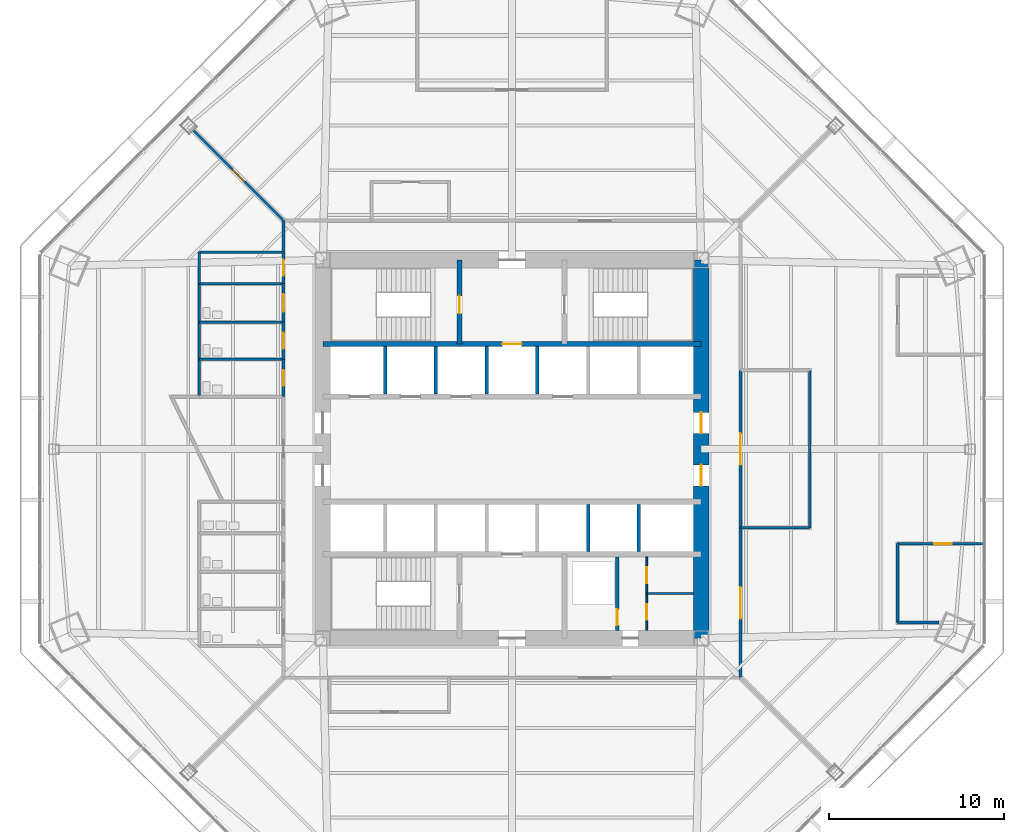
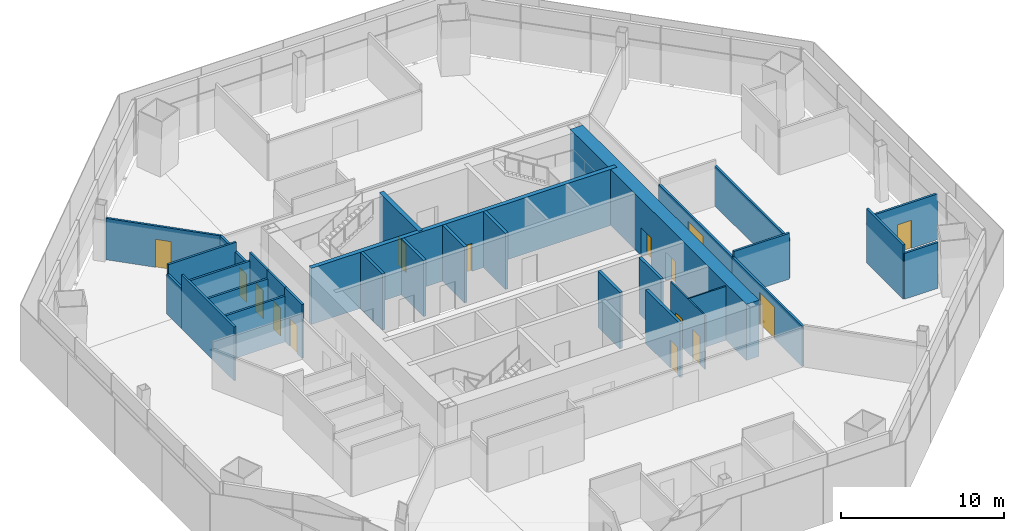
# One storey, part 10 of 15: 31 walls, 15 doors, 15 openings.
"""IFC4 building model written with IfcOpenShell, lengths in metres."""

import ifcopenshell
import ifcopenshell.guid

model = None  # the IFC model being written
_history = None  # IfcOwnerHistory: only IFC2X3 demands one
_inside = {}  # id of a spatial element -> (the spatial element, [elements in it])
_under = {}  # id of a project, library or spatial element -> (it, [spatial elements below it])
_declared = {}  # id of a project -> (the project, [libraries it declares])
_typed = {}  # id of a type object -> (the type object, [elements of that type])
_made_of = {}  # id of a material, layer set ... -> (it, [elements and type objects made of it])


def new_model(schema):
    """Start an empty IFC model of exactly this schema.

    Asked for "IFC4X3", IfcOpenShell would pick the latest addendum, in which some entities
    have other attributes; the version numbers below select the first issue.
    IFC2X3 requires an IfcOwnerHistory on every rooted entity: one is made here for all.
    """
    global model, _history
    if schema == "IFC4X3":
        model = ifcopenshell.file(schema_version=(4, 3, 0, 0))
    else:
        model = ifcopenshell.file(schema=schema)
    _inside.clear()
    _under.clear()
    _declared.clear()
    _typed.clear()
    _made_of.clear()
    _history = None
    if model.schema == "IFC2X3":
        org = make("IfcOrganization", Name="unknown")
        user = make(
            "IfcPersonAndOrganization",
            ThePerson=make("IfcPerson", FamilyName="unknown"),
            TheOrganization=org,
        )
        app = make(
            "IfcApplication",
            ApplicationDeveloper=org,
            Version="unknown",
            ApplicationFullName="unknown",
            ApplicationIdentifier="unknown",
        )
        _history = make(
            "IfcOwnerHistory",
            OwningUser=user,
            OwningApplication=app,
            ChangeAction="ADDED",
            CreationDate=0,
        )
    return model


def make(cls, **values):
    """One entity of the class cls with the attributes given. An attribute that is None is left unset."""
    return model.create_entity(
        cls, **{name: value for name, value in values.items() if value is not None}
    )


def rooted(cls, **values):
    """An entity with a GlobalId (a new one), such as an element, a storey or a relation."""
    return make(cls, GlobalId=ifcopenshell.guid.new(), OwnerHistory=_history, **values)


def si_unit(unit_type, name, prefix=None):
    """IfcSIUnit, for example si_unit("LENGTHUNIT", "METRE", prefix="MILLI")."""
    return make("IfcSIUnit", UnitType=unit_type, Prefix=prefix, Name=name)


def assignment(units):
    """IfcUnitAssignment: the units of a project."""
    return None if units is None else make("IfcUnitAssignment", Units=units)


def point(xyz):
    """IfcCartesianPoint."""
    return None if xyz is None else make("IfcCartesianPoint", Coordinates=xyz)


def direction(xyz):
    """IfcDirection."""
    return None if xyz is None else make("IfcDirection", DirectionRatios=xyz)


def frame(location, z_axis=None, x_axis=None):
    """IfcAxis2Placement3D, a coordinate frame: its origin and axes. An axis left out is left unset."""
    return make(
        "IfcAxis2Placement3D",
        Location=point(location),
        Axis=direction(z_axis),
        RefDirection=direction(x_axis),
    )


def frame_2d(location, x_axis=None):
    """IfcAxis2Placement2D, a coordinate frame in the plane: its origin and x axis."""
    return make(
        "IfcAxis2Placement2D", Location=point(location), RefDirection=direction(x_axis)
    )


def origin():
    """The frame at (0, 0, 0) with its axes left unset."""
    return frame((0.0, 0.0, 0.0))


def place(relative_to, where):
    """IfcLocalPlacement: puts the frame where relative to a parent placement (None: the world)."""
    return make(
        "IfcLocalPlacement", PlacementRelTo=relative_to, RelativePlacement=where
    )


def context(
    kind, dimensions, precision=None, world=None, true_north=None, identifier=None
):
    """IfcGeometricRepresentationContext, for example the 3D "Model" context."""
    return make(
        "IfcGeometricRepresentationContext",
        ContextIdentifier=identifier,
        ContextType=kind,
        CoordinateSpaceDimension=dimensions,
        Precision=precision,
        WorldCoordinateSystem=world,
        TrueNorth=true_north,
    )


def subcontext(parent, identifier, kind, view, scale=None):
    """IfcGeometricRepresentationSubContext, for example "Body" below "Model"."""
    return make(
        "IfcGeometricRepresentationSubContext",
        ContextIdentifier=identifier,
        ContextType=kind,
        ParentContext=parent,
        TargetScale=scale,
        TargetView=view,
    )


def project(units=None, contexts=None):
    """IfcProject with its units and contexts."""
    return rooted(
        "IfcProject",
        Name="project",
        RepresentationContexts=contexts,
        UnitsInContext=assignment(units),
    )


def spatial(cls, under=None, at=None, **own):
    """A site, building, storey or space (cls), placed at a placement, below another one or the project."""
    s = rooted(cls, ObjectPlacement=at, **own)
    if under is not None:
        _under.setdefault(under.id(), (under, []))[1].append(s)
    return s


def profile(cls, at=None, kind="AREA", **sizes):
    """A parametric profile (cls). Its sizes go by their IFC names, for example OverallWidth=200.0."""
    return make(cls, ProfileType=kind, Position=at, **sizes)


def rectangle(**sizes):
    """IfcRectangleProfileDef."""
    return profile("IfcRectangleProfileDef", **sizes)


def extrude(swept, where, along, depth):
    """IfcExtrudedAreaSolid: the profile swept, set in the frame where, extruded along a direction by depth."""
    return make(
        "IfcExtrudedAreaSolid",
        SweptArea=swept,
        Position=where,
        ExtrudedDirection=direction(along),
        Depth=depth,
    )


def shape(context_of_items, identifier, shape_type, items):
    """IfcShapeRepresentation: the items that make up one representation, for example the "Body"."""
    return make(
        "IfcShapeRepresentation",
        ContextOfItems=context_of_items,
        RepresentationIdentifier=identifier,
        RepresentationType=shape_type,
        Items=items,
    )


def material(Name=None, Category=None):
    """IfcMaterial."""
    return make("IfcMaterial", Name=Name, Category=Category)


def layer(
    of_material, thickness, ventilated=None, Name=None, Category=None, Priority=None
):
    """IfcMaterialLayer: one layer of a wall or slab, of a material (None: an air gap)."""
    return make(
        "IfcMaterialLayer",
        Material=of_material,
        LayerThickness=thickness,
        IsVentilated=ventilated,
        Name=Name,
        Category=Category,
        Priority=Priority,
    )


def layer_set(layers, Name=None):
    """IfcMaterialLayerSet."""
    return make("IfcMaterialLayerSet", MaterialLayers=layers, LayerSetName=Name)


def made_of(thing, what):
    """Note that an element or type object is made of a material, layer set ...; save() writes the relation."""
    if what is not None:
        _made_of.setdefault(what.id(), (what, []))[1].append(thing)
    return thing


def type_object(cls, material=None, **own):
    """A type object (cls), such as IfcWallType, which elements share."""
    return made_of(rooted(cls, **own), material)


def element(
    cls,
    number,
    at=None,
    inside=None,
    cuts=None,
    type_object=None,
    material=None,
    context=None,
    identifier="Body",
    shape_type=None,
    held_by="IfcProductDefinitionShape",
    body=None,
    shapes=None,
    **own,
):
    """One element of the class cls, such as IfcWall. Its Tag is "e" and its number.

    at: its placement. inside: the storey or other place that contains it. cuts: it is an
    opening in that element (IfcRelVoidsElement). A single representation is given by context,
    identifier, shape_type and body (its items); several are given by shapes. held_by: the class
    of the entity that holds the representations. save() writes the other relations.
    """
    e = rooted(cls, Tag="e%d" % number, ObjectPlacement=at, **own)
    if body is not None:
        shapes = [shape(context, identifier, shape_type, body)]
    if shapes is not None:
        e.Representation = make(held_by, Representations=shapes)
    if inside is not None:
        _inside.setdefault(inside.id(), (inside, []))[1].append(e)
    if cuts is not None:
        rooted(
            "IfcRelVoidsElement", RelatingBuildingElement=cuts, RelatedOpeningElement=e
        )
    if type_object is not None:
        _typed.setdefault(type_object.id(), (type_object, []))[1].append(e)
    return made_of(e, material)


def fill(opening, filler):
    """IfcRelFillsElement: the door or window that sits in an opening."""
    return rooted(
        "IfcRelFillsElement",
        RelatingOpeningElement=opening,
        RelatedBuildingElement=filler,
    )


def aggregate(whole, parts):
    """IfcRelAggregates: a whole, such as a stair, and the parts it consists of."""
    return rooted("IfcRelAggregates", RelatingObject=whole, RelatedObjects=parts)


def save(model, path):
    """Write the relations noted so far, then the file.

    IfcRelAggregates (storeys below a building ...), IfcRelContainedInSpatialStructure (elements
    in a storey), IfcRelDefinesByType, IfcRelAssociatesMaterial and IfcRelDeclares: one each for
    every whole, place, type object, material and project.
    """
    for whole, parts in _under.values():
        aggregate(whole, parts)
    for where, things in _inside.values():
        rooted(
            "IfcRelContainedInSpatialStructure",
            RelatedElements=things,
            RelatingStructure=where,
        )
    for kind, things in _typed.values():
        rooted("IfcRelDefinesByType", RelatedObjects=things, RelatingType=kind)
    for what, things in _made_of.values():
        rooted("IfcRelAssociatesMaterial", RelatedObjects=things, RelatingMaterial=what)
    for by, libraries in _declared.values():
        rooted("IfcRelDeclares", RelatingContext=by, RelatedDefinitions=libraries)
    model.write(path)


model = new_model("IFC4")

# Units and contexts
model_context = context("Model", 3, precision=1e-05, world=origin(), true_north=direction((0.0, 1.0)))
body_context = subcontext(model_context, "Body", "Model", "MODEL_VIEW")
ifc_project = project(units=[si_unit("LENGTHUNIT", "METRE"), si_unit("AREAUNIT", "SQUARE_METRE"), si_unit("VOLUMEUNIT", "CUBIC_METRE"), si_unit("PLANEANGLEUNIT", "RADIAN"), si_unit("MASSUNIT", "GRAM", prefix="KILO")], contexts=[model_context])

# Site, building, storey
site_placement = place(None, origin())
site = spatial("IfcSite", under=ifc_project, at=site_placement, CompositionType="ELEMENT")
building_placement = place(site_placement, origin())
building = spatial("IfcBuilding", under=site, at=building_placement, Name="Mashrafa Tower", CompositionType="ELEMENT")
storey_placement = place(building_placement, frame((0.0, 0.0, 37.199951171875)))
storey = spatial("IfcBuildingStorey", under=building, at=storey_placement, Name="L07", CompositionType="ELEMENT", Elevation=37.199951171875)

# Wall, opening, door
ifc_material_1 = material(Name="Concrete masonry unit", Category="masonry")
ifc_layer_1 = layer(ifc_material_1, 0.199951171875)
ifc_layer_set_1 = layer_set([ifc_layer_1], Name="Blockwork wall 200 2 hr")
wall_type_1 = type_object("IfcWallType", Name="Blockwork wall 200 2 hr", PredefinedType="PARTITIONING", material=ifc_layer_set_1)
wall_1_placement = place(storey_placement, frame((6.0, -10.35009765625, 0.0), z_axis=(0.0, 0.0, 1.0), x_axis=(0.0, 1.0, 0.0)))
wall_1 = element("IfcWall", 1, at=wall_1_placement, inside=storey, type_object=wall_type_1, Name="Riser enclosure wall L07", PredefinedType="PARTITIONING", context=body_context, shape_type="SweptSolid", body=[
    extrude(rectangle(XDim=4.2001953125, YDim=0.199951171875, at=frame_2d((2.10009765625, 0.0))), origin(), (0.0, 0.0, 1.0), 4.03515625),
])
opening_1_placement = place(wall_1_placement, frame((0.300048828125, 0.0, 0.0)))
opening_1 = element("IfcOpeningElement", 2, at=opening_1_placement, cuts=wall_1, Name="Opening 07.034", PredefinedType="OPENING", context=body_context, shape_type="SweptSolid", body=[
    extrude(rectangle(XDim=0.89990234375, YDim=2.10009765625, at=frame_2d((0.449951171875, 1.050048828125))), frame((0.0, 0.10986328125, 0.0), z_axis=(0.0, -1.0, 0.0), x_axis=(1.0, 0.0, 0.0)), (0.0, 0.0, 1.0), 0.219970703125),
])
ifc_material_2 = material(Name="Steel door", Category="steel")
door_type_1 = type_object("IfcDoorType", Name="Service door 900 x 2100 90 min", OperationType="USERDEFINED", PredefinedType="DOOR", material=ifc_material_2)
door_1_placement = place(opening_1_placement, origin())
door_1 = element("IfcDoor", 3, at=door_1_placement, inside=storey, type_object=door_type_1, Name="Riser door L07", OperationType="SINGLE_SWING_LEFT", OverallHeight=2.10009765625, OverallWidth=0.89990234375, PredefinedType="DOOR", context=body_context, shape_type="SweptSolid", body=[
    extrude(rectangle(XDim=0.89990234375, YDim=2.10009765625, at=frame_2d((0.449951171875, 1.050048828125))), frame((0.0, 0.02490234375, 0.0), z_axis=(0.0, -1.0, 0.0), x_axis=(1.0, 0.0, 0.0)), (0.0, 0.0, 1.0), 0.050048828125),
])
fill(opening_1, door_1)

ifc_material_3 = material(Name="Concrete C60/75", Category="concrete")
ifc_layer_2 = layer(ifc_material_3, 0.300048828125)
ifc_layer_set_2 = layer_set([ifc_layer_2], Name="Core wall 300 C60/75")
wall_type_2 = type_object("IfcWallType", Name="Core wall 300 C60/75", PredefinedType="SOLIDWALL", material=ifc_layer_set_2)
wall_2_placement = place(storey_placement, frame((-10.800048828125, 6.0, 0.0), z_axis=(0.0, 0.0, 1.0), x_axis=(1.0, 0.0, 0.0)))
wall_2 = element("IfcWall", 4, at=wall_2_placement, inside=storey, type_object=wall_type_2, Name="Core wall CB-N L07", PredefinedType="SOLIDWALL", context=body_context, shape_type="SweptSolid", body=[
    extrude(rectangle(XDim=21.60009765625, YDim=0.300048828125, at=frame_2d((10.800048828125, 0.0))), origin(), (0.0, 0.0, 1.0), 4.199951171875),
])
opening_2_placement = place(wall_2_placement, frame((10.25, 0.0, 0.0)))
opening_2 = element("IfcOpeningElement", 5, at=opening_2_placement, cuts=wall_2, Name="Opening 07.F1", PredefinedType="OPENING", context=body_context, shape_type="SweptSolid", body=[
    extrude(rectangle(XDim=1.10009765625, YDim=2.10009765625, at=frame_2d((0.550048828125, 1.050048828125))), frame((0.0, 0.159912109375, 0.0), z_axis=(0.0, -1.0, 0.0), x_axis=(1.0, 0.0, 0.0)), (0.0, 0.0, 1.0), 0.320068359375),
])
ifc_material_4 = material(Name="Steel door", Category="steel")
door_type_2 = type_object("IfcDoorType", Name="Lift landing door 1100 x 2100 90 min", OperationType="DOUBLE_DOOR_SLIDING", PredefinedType="DOOR", material=ifc_material_4)
door_2_placement = place(opening_2_placement, origin())
door_2 = element("IfcDoor", 6, at=door_2_placement, inside=storey, type_object=door_type_2, Name="Lift landing door F1 L07", OperationType="DOUBLE_DOOR_SLIDING", OverallHeight=2.10009765625, OverallWidth=1.10009765625, PredefinedType="DOOR", context=body_context, shape_type="SweptSolid", body=[
    extrude(rectangle(XDim=1.10009765625, YDim=2.10009765625, at=frame_2d((0.550048828125, 1.050048828125))), frame((0.0, 0.02490234375, 0.0), z_axis=(0.0, -1.0, 0.0), x_axis=(1.0, 0.0, 0.0)), (0.0, 0.0, 1.0), 0.050048828125),
])
fill(opening_2, door_2)

wall_3_placement = place(storey_placement, frame((-3.0, 6.0, 0.0), z_axis=(0.0, 0.0, 1.0), x_axis=(0.0, 1.0, 0.0)))
wall_3 = element("IfcWall", 7, at=wall_3_placement, inside=storey, type_object=wall_type_2, Name="Core wall CX-NW L07", PredefinedType="SOLIDWALL", context=body_context, shape_type="SweptSolid", body=[
    extrude(rectangle(XDim=4.800048828125, YDim=0.300048828125, at=frame_2d((2.39990234375, 0.0))), origin(), (0.0, 0.0, 1.0), 4.199951171875),
])
opening_3_placement = place(wall_3_placement, frame((1.75, 0.0, 0.0)))
opening_3 = element("IfcOpeningElement", 8, at=opening_3_placement, cuts=wall_3, Name="Opening 07.030", PredefinedType="OPENING", context=body_context, shape_type="SweptSolid", body=[
    extrude(rectangle(XDim=1.0, YDim=2.10009765625, at=frame_2d((0.5, 1.050048828125))), frame((0.0, 0.159912109375, 0.0), z_axis=(0.0, -1.0, 0.0), x_axis=(1.0, 0.0, 0.0)), (0.0, 0.0, 1.0), 0.320068359375),
])
ifc_material_5 = material(Name="Steel door", Category="steel")
door_type_3 = type_object("IfcDoorType", Name="Stair door 1000 x 2100 90 min", OperationType="USERDEFINED", PredefinedType="DOOR", material=ifc_material_5)
door_3_placement = place(opening_3_placement, origin())
door_3 = element("IfcDoor", 9, at=door_3_placement, inside=storey, type_object=door_type_3, Name="Stair S1 door L07", OperationType="SINGLE_SWING_LEFT", OverallHeight=2.10009765625, OverallWidth=1.0, PredefinedType="DOOR", context=body_context, shape_type="SweptSolid", body=[
    extrude(rectangle(XDim=1.0, YDim=2.10009765625, at=frame_2d((0.5, 1.050048828125))), frame((0.0, 0.02490234375, 0.0), z_axis=(0.0, -1.0, 0.0), x_axis=(1.0, 0.0, 0.0)), (0.0, 0.0, 1.0), 0.050048828125),
])
fill(opening_3, door_3)

# Wall, openings, doors
ifc_material_6 = material(Name="Concrete C60/75", Category="concrete")
ifc_layer_3 = layer(ifc_material_6, 0.89990234375)
ifc_layer_set_3 = layer_set([ifc_layer_3], Name="Core wall 900 C60/75")
wall_type_3 = type_object("IfcWallType", Name="Core wall 900 C60/75", PredefinedType="SOLIDWALL", material=ifc_layer_set_3)
wall_4_placement = place(storey_placement, frame((10.800048828125, -10.800048828125, 0.0), z_axis=(0.0, 0.0, 1.0), x_axis=(0.0, 1.0, 0.0)))
wall_4 = element("IfcWall", 10, at=wall_4_placement, inside=storey, type_object=wall_type_3, Name="Core wall CW-E L07", PredefinedType="SOLIDWALL", context=body_context, shape_type="SweptSolid", body=[
    extrude(rectangle(XDim=21.60009765625, YDim=0.89990234375, at=frame_2d((10.800048828125, 0.0))), origin(), (0.0, 0.0, 1.0), 4.199951171875),
])
opening_4_placement = place(wall_4_placement, frame((11.699951171875, 0.0, 0.0)))
opening_4 = element("IfcOpeningElement", 11, at=opening_4_placement, cuts=wall_4, Name="Opening 07.024", PredefinedType="OPENING", context=body_context, shape_type="SweptSolid", body=[
    extrude(rectangle(XDim=1.199951171875, YDim=2.10009765625, at=frame_2d((0.60009765625, 1.050048828125))), frame((0.0, 0.4599609375, 0.0), z_axis=(0.0, -1.0, 0.0), x_axis=(1.0, 0.0, 0.0)), (0.0, 0.0, 1.0), 0.919921875),
])
opening_5_placement = place(wall_4_placement, frame((8.699951171875, 0.0, 0.0)))
opening_5 = element("IfcOpeningElement", 12, at=opening_5_placement, cuts=wall_4, Name="Opening 07.026", PredefinedType="OPENING", context=body_context, shape_type="SweptSolid", body=[
    extrude(rectangle(XDim=1.199951171875, YDim=2.10009765625, at=frame_2d((0.60009765625, 1.050048828125))), frame((0.0, 0.4599609375, 0.0), z_axis=(0.0, -1.0, 0.0), x_axis=(1.0, 0.0, 0.0)), (0.0, 0.0, 1.0), 0.919921875),
])
ifc_material_7 = material(Name="Steel door", Category="steel")
door_type_4 = type_object("IfcDoorType", Name="Lift hall door 1200 x 2100 90 min", OperationType="USERDEFINED", PredefinedType="DOOR", material=ifc_material_7)
door_4_placement = place(opening_4_placement, frame((1.199951171875, 0.0, 0.0), z_axis=(0.0, 0.0, 1.0), x_axis=(-1.0, 0.0, 0.0)))
door_4 = element("IfcDoor", 13, at=door_4_placement, inside=storey, type_object=door_type_4, Name="Lift hall door east L07", OperationType="SINGLE_SWING_LEFT", OverallHeight=2.10009765625, OverallWidth=1.199951171875, PredefinedType="DOOR", context=body_context, shape_type="SweptSolid", body=[
    extrude(rectangle(XDim=1.199951171875, YDim=2.10009765625, at=frame_2d((0.60009765625, 1.050048828125))), frame((0.0, 0.02490234375, 0.0), z_axis=(0.0, -1.0, 0.0), x_axis=(1.0, 0.0, 0.0)), (0.0, 0.0, 1.0), 0.050048828125),
])
fill(opening_4, door_4)
door_5_placement = place(opening_5_placement, frame((1.199951171875, 0.0, 0.0), z_axis=(0.0, 0.0, 1.0), x_axis=(-1.0, 0.0, 0.0)))
door_5 = element("IfcDoor", 14, at=door_5_placement, inside=storey, type_object=door_type_4, Name="Lift hall door east L07", OperationType="SINGLE_SWING_RIGHT", OverallHeight=2.10009765625, OverallWidth=1.199951171875, PredefinedType="DOOR", context=body_context, shape_type="SweptSolid", body=[
    extrude(rectangle(XDim=1.199951171875, YDim=2.10009765625, at=frame_2d((0.60009765625, 1.050048828125))), frame((0.0, 0.02490234375, 0.0), z_axis=(0.0, -1.0, 0.0), x_axis=(1.0, 0.0, 0.0)), (0.0, 0.0, 1.0), 0.050048828125),
])
fill(opening_5, door_5)

# Wall, opening, door
ifc_material_8 = material(Name="Gypsum board on steel studs", Category="steel")
ifc_layer_4 = layer(ifc_material_8, 0.14990234375)
ifc_layer_set_4 = layer_set([ifc_layer_4], Name="Corridor partition 150 1 hr")
wall_type_4 = type_object("IfcWallType", Name="Corridor partition 150 1 hr", PredefinedType="PARTITIONING", material=ifc_layer_set_4)
wall_5_placement = place(storey_placement, frame((-13.050048828125, 5.1259765625, 0.0), z_axis=(0.0, 0.0, 1.0), x_axis=(0.0, -1.0, 0.0)))
wall_5 = element("IfcWall", 15, at=wall_5_placement, inside=storey, type_object=wall_type_4, Name="Corridor wall L07-001", PredefinedType="PARTITIONING", context=body_context, shape_type="SweptSolid", body=[
    extrude(rectangle(XDim=2.126953125, YDim=0.14990234375, at=frame_2d((1.0634765625, 0.0))), origin(), (0.0, 0.0, 1.0), 4.03515625),
])
opening_6_placement = place(wall_5_placement, frame((0.613525390625, 0.0, 0.0)))
opening_6 = element("IfcOpeningElement", 16, at=opening_6_placement, cuts=wall_5, Name="Opening 07.001", PredefinedType="OPENING", context=body_context, shape_type="SweptSolid", body=[
    extrude(rectangle(XDim=0.89990234375, YDim=2.10009765625, at=frame_2d((0.449951171875, 1.050048828125))), frame((0.0, 0.0849609375, 0.0), z_axis=(0.0, -1.0, 0.0), x_axis=(1.0, 0.0, 0.0)), (0.0, 0.0, 1.0), 0.169921875),
])
ifc_material_9 = material(Name="Timber door", Category="wood")
door_type_5 = type_object("IfcDoorType", Name="Toilet door 900 x 2100", OperationType="USERDEFINED", PredefinedType="DOOR", material=ifc_material_9)
door_6_placement = place(opening_6_placement, frame((0.89990234375, 0.0, 0.0), z_axis=(0.0, 0.0, 1.0), x_axis=(-1.0, 0.0, 0.0)))
door_6 = element("IfcDoor", 17, at=door_6_placement, inside=storey, type_object=door_type_5, Name="WC Female L07 N door", OperationType="SINGLE_SWING_RIGHT", OverallHeight=2.10009765625, OverallWidth=0.89990234375, PredefinedType="DOOR", context=body_context, shape_type="SweptSolid", body=[
    extrude(rectangle(XDim=0.89990234375, YDim=2.10009765625, at=frame_2d((0.449951171875, 1.050048828125))), frame((0.0, 0.02490234375, 0.0), z_axis=(0.0, -1.0, 0.0), x_axis=(1.0, 0.0, 0.0)), (0.0, 0.0, 1.0), 0.050048828125),
])
fill(opening_6, door_6)

wall_6_placement = place(storey_placement, frame((-13.050048828125, 7.2509765625, 0.0), z_axis=(0.0, 0.0, 1.0), x_axis=(0.0, -1.0, 0.0)))
wall_6 = element("IfcWall", 18, at=wall_6_placement, inside=storey, type_object=wall_type_4, Name="Corridor wall L07-002", PredefinedType="PARTITIONING", context=body_context, shape_type="SweptSolid", body=[
    extrude(rectangle(XDim=2.126953125, YDim=0.14990234375, at=frame_2d((1.0634765625, 0.0))), origin(), (0.0, 0.0, 1.0), 4.03515625),
])
opening_7_placement = place(wall_6_placement, frame((0.613525390625, 0.0, 0.0)))
opening_7 = element("IfcOpeningElement", 19, at=opening_7_placement, cuts=wall_6, Name="Opening 07.002", PredefinedType="OPENING", context=body_context, shape_type="SweptSolid", body=[
    extrude(rectangle(XDim=0.89990234375, YDim=2.10009765625, at=frame_2d((0.449951171875, 1.050048828125))), frame((0.0, 0.0849609375, 0.0), z_axis=(0.0, -1.0, 0.0), x_axis=(1.0, 0.0, 0.0)), (0.0, 0.0, 1.0), 0.169921875),
])
door_7_placement = place(opening_7_placement, frame((0.89990234375, 0.0, 0.0), z_axis=(0.0, 0.0, 1.0), x_axis=(-1.0, 0.0, 0.0)))
door_7 = element("IfcDoor", 20, at=door_7_placement, inside=storey, type_object=door_type_5, Name="WC Male L07 N door", OperationType="SINGLE_SWING_LEFT", OverallHeight=2.10009765625, OverallWidth=0.89990234375, PredefinedType="DOOR", context=body_context, shape_type="SweptSolid", body=[
    extrude(rectangle(XDim=0.89990234375, YDim=2.10009765625, at=frame_2d((0.449951171875, 1.050048828125))), frame((0.0, 0.02490234375, 0.0), z_axis=(0.0, -1.0, 0.0), x_axis=(1.0, 0.0, 0.0)), (0.0, 0.0, 1.0), 0.050048828125),
])
fill(opening_7, door_7)

wall_7_placement = place(storey_placement, frame((-13.050048828125, 9.450927734375, 0.0), z_axis=(0.0, 0.0, 1.0), x_axis=(0.0, -1.0, 0.0)))
wall_7 = element("IfcWall", 21, at=wall_7_placement, inside=storey, type_object=wall_type_4, Name="Corridor wall L07-003", PredefinedType="PARTITIONING", context=body_context, shape_type="SweptSolid", body=[
    extrude(rectangle(XDim=2.201904296875, YDim=0.14990234375, at=frame_2d((1.10107421875, 0.0))), origin(), (0.0, 0.0, 1.0), 4.03515625),
])
opening_8_placement = place(wall_7_placement, frame((0.60107421875, 0.0, 0.0)))
opening_8 = element("IfcOpeningElement", 22, at=opening_8_placement, cuts=wall_7, Name="Opening 07.003", PredefinedType="OPENING", context=body_context, shape_type="SweptSolid", body=[
    extrude(rectangle(XDim=1.0, YDim=2.10009765625, at=frame_2d((0.5, 1.050048828125))), frame((0.0, 0.0849609375, 0.0), z_axis=(0.0, -1.0, 0.0), x_axis=(1.0, 0.0, 0.0)), (0.0, 0.0, 1.0), 0.169921875),
])
ifc_material_10 = material(Name="Timber door", Category="wood")
door_type_6 = type_object("IfcDoorType", Name="Accessible toilet door 1000 x 2100", OperationType="USERDEFINED", PredefinedType="DOOR", material=ifc_material_10)
door_8_placement = place(opening_8_placement, frame((1.0, 0.0, 0.0), z_axis=(0.0, 0.0, 1.0), x_axis=(-1.0, 0.0, 0.0)))
door_8 = element("IfcDoor", 23, at=door_8_placement, inside=storey, type_object=door_type_6, Name="Accessible WC L07 N door", OperationType="SINGLE_SWING_RIGHT", OverallHeight=2.10009765625, OverallWidth=1.0, PredefinedType="DOOR", context=body_context, shape_type="SweptSolid", body=[
    extrude(rectangle(XDim=1.0, YDim=2.10009765625, at=frame_2d((0.5, 1.050048828125))), frame((0.0, 0.02490234375, 0.0), z_axis=(0.0, -1.0, 0.0), x_axis=(1.0, 0.0, 0.0)), (0.0, 0.0, 1.0), 0.050048828125),
])
fill(opening_8, door_8)

wall_8_placement = place(storey_placement, frame((-13.050048828125, 11.2509765625, 0.0), z_axis=(0.0, 0.0, 1.0), x_axis=(0.0, -1.0, 0.0)))
wall_8 = element("IfcWall", 24, at=wall_8_placement, inside=storey, type_object=wall_type_4, Name="Corridor wall L07-004", PredefinedType="PARTITIONING", context=body_context, shape_type="SweptSolid", body=[
    extrude(rectangle(XDim=1.802001953125, YDim=0.14990234375, at=frame_2d((0.90087890625, 0.0))), origin(), (0.0, 0.0, 1.0), 3.01416015625),
])
opening_9_placement = place(wall_8_placement, frame((0.450927734375, 0.0, 0.0)))
opening_9 = element("IfcOpeningElement", 25, at=opening_9_placement, cuts=wall_8, Name="Opening 07.004", PredefinedType="OPENING", context=body_context, shape_type="SweptSolid", body=[
    extrude(rectangle(XDim=0.89990234375, YDim=2.10009765625, at=frame_2d((0.449951171875, 1.050048828125))), frame((0.0, 0.0849609375, 0.0), z_axis=(0.0, -1.0, 0.0), x_axis=(1.0, 0.0, 0.0)), (0.0, 0.0, 1.0), 0.169921875),
])
ifc_material_11 = material(Name="Timber door", Category="wood")
door_type_7 = type_object("IfcDoorType", Name="Store door 900 x 2100", OperationType="USERDEFINED", PredefinedType="DOOR", material=ifc_material_11)
door_9_placement = place(opening_9_placement, frame((0.89990234375, 0.0, 0.0), z_axis=(0.0, 0.0, 1.0), x_axis=(-1.0, 0.0, 0.0)))
door_9 = element("IfcDoor", 26, at=door_9_placement, inside=storey, type_object=door_type_7, Name="Cleaner's Store L07 N door", OperationType="SINGLE_SWING_LEFT", OverallHeight=2.10009765625, OverallWidth=0.89990234375, PredefinedType="DOOR", context=body_context, shape_type="SweptSolid", body=[
    extrude(rectangle(XDim=0.89990234375, YDim=2.10009765625, at=frame_2d((0.449951171875, 1.050048828125))), frame((0.0, 0.02490234375, 0.0), z_axis=(0.0, -1.0, 0.0), x_axis=(1.0, 0.0, 0.0)), (0.0, 0.0, 1.0), 0.050048828125),
])
fill(opening_9, door_9)

wall_9_placement = place(storey_placement, frame((13.050048828125, -4.5009765625, 0.0), z_axis=(0.0, 0.0, 1.0), x_axis=(0.0, 1.0, 0.0)))
wall_9 = element("IfcWall", 27, at=wall_9_placement, inside=storey, type_object=wall_type_4, Name="Corridor wall L07-010", PredefinedType="PARTITIONING", context=body_context, shape_type="SweptSolid", body=[
    extrude(rectangle(XDim=9.001953125, YDim=0.14990234375, at=frame_2d((4.5009765625, 0.0))), origin(), (0.0, 0.0, 1.0), 2.983642578125),
])
opening_10_placement = place(wall_9_placement, frame((3.60107421875, 0.0, 0.0)))
opening_10 = element("IfcOpeningElement", 28, at=opening_10_placement, cuts=wall_9, Name="Opening 07.010", PredefinedType="OPENING", context=body_context, shape_type="SweptSolid", body=[
    extrude(rectangle(XDim=1.800048828125, YDim=2.39990234375, at=frame_2d((0.89990234375, 1.199951171875))), frame((0.0, 0.0849609375, 0.0), z_axis=(0.0, -1.0, 0.0), x_axis=(1.0, 0.0, 0.0)), (0.0, 0.0, 1.0), 0.169921875),
])
ifc_material_12 = material(Name="Steel door", Category="steel")
door_type_8 = type_object("IfcDoorType", Name="Door pair 1800 x 2400 90 min", OperationType="DOUBLE_DOOR_SINGLE_SWING", PredefinedType="DOOR", material=ifc_material_12)
door_10_placement = place(opening_10_placement, frame((1.800048828125, 0.0, 0.0), z_axis=(0.0, 0.0, 1.0), x_axis=(-1.0, 0.0, 0.0)))
door_10 = element("IfcDoor", 29, at=door_10_placement, inside=storey, type_object=door_type_8, Name="Reception and Waiting 07 door", OperationType="DOUBLE_DOOR_SINGLE_SWING", OverallHeight=2.39990234375, OverallWidth=1.800048828125, PredefinedType="DOOR", context=body_context, shape_type="SweptSolid", body=[
    extrude(rectangle(XDim=1.800048828125, YDim=2.39990234375, at=frame_2d((0.89990234375, 1.199951171875))), frame((0.0, 0.02490234375, 0.0), z_axis=(0.0, -1.0, 0.0), x_axis=(1.0, 0.0, 0.0)), (0.0, 0.0, 1.0), 0.050048828125),
])
fill(opening_10, door_10)

wall_10_placement = place(storey_placement, frame((13.050048828125, -13.050048828125, 0.0), z_axis=(0.0, 0.0, 1.0), x_axis=(0.0, 1.0, 0.0)))
wall_10 = element("IfcWall", 30, at=wall_10_placement, inside=storey, type_object=wall_type_4, Name="Corridor wall L07-015", PredefinedType="PARTITIONING", context=body_context, shape_type="SweptSolid", body=[
    extrude(rectangle(XDim=8.551025390625, YDim=0.14990234375, at=frame_2d((4.275390625, 0.0))), origin(), (0.0, 0.0, 1.0), 3.01416015625),
])
opening_11_placement = place(wall_10_placement, frame((3.37548828125, 0.0, 0.0)))
opening_11 = element("IfcOpeningElement", 31, at=opening_11_placement, cuts=wall_10, Name="Opening 07.021", PredefinedType="OPENING", context=body_context, shape_type="SweptSolid", body=[
    extrude(rectangle(XDim=1.800048828125, YDim=2.39990234375, at=frame_2d((0.89990234375, 1.199951171875))), frame((0.0, 0.0849609375, 0.0), z_axis=(0.0, -1.0, 0.0), x_axis=(1.0, 0.0, 0.0)), (0.0, 0.0, 1.0), 0.169921875),
])
ifc_material_13 = material(Name="Timber door", Category="wood")
door_type_9 = type_object("IfcDoorType", Name="Door pair 1800 x 2400", OperationType="DOUBLE_DOOR_SINGLE_SWING", PredefinedType="DOOR", material=ifc_material_13)
door_11_placement = place(opening_11_placement, frame((1.800048828125, 0.0, 0.0), z_axis=(0.0, 0.0, 1.0), x_axis=(-1.0, 0.0, 0.0)))
door_11 = element("IfcDoor", 32, at=door_11_placement, inside=storey, type_object=door_type_9, Name="Private Banking Office 07 door", OperationType="DOUBLE_DOOR_SINGLE_SWING", OverallHeight=2.39990234375, OverallWidth=1.800048828125, PredefinedType="DOOR", context=body_context, shape_type="SweptSolid", body=[
    extrude(rectangle(XDim=1.800048828125, YDim=2.39990234375, at=frame_2d((0.89990234375, 1.199951171875))), frame((0.0, 0.02490234375, 0.0), z_axis=(0.0, -1.0, 0.0), x_axis=(1.0, 0.0, 0.0)), (0.0, 0.0, 1.0), 0.050048828125),
])
fill(opening_11, door_11)

# Walls
wall_11_placement = place(storey_placement, frame((-13.050048828125, 13.050048828125, 0.0), z_axis=(0.0, 0.0, 1.0), x_axis=(0.0, -1.0, 0.0)))
element("IfcWall", 33, at=wall_11_placement, inside=storey, type_object=wall_type_4, Name="Corridor wall L07-020", PredefinedType="PARTITIONING", context=body_context, shape_type="SweptSolid", body=[
    extrude(rectangle(XDim=1.801025390625, YDim=0.14990234375, at=frame_2d((0.900390625, 0.0))), origin(), (0.0, 0.0, 1.0), 3.097900390625),
])
wall_12_placement = place(storey_placement, frame((13.050048828125, -4.5, 0.0), z_axis=(0.0, 0.0, 1.0), x_axis=(1.0, 0.0, 0.0)))
element("IfcWall", 34, at=wall_12_placement, inside=storey, type_object=wall_type_4, Name="Corridor wall L07-042", PredefinedType="PARTITIONING", context=body_context, shape_type="SweptSolid", body=[
    extrude(rectangle(XDim=3.949951171875, YDim=0.14990234375, at=frame_2d((1.97509765625, 0.0))), origin(), (0.0, 0.0, 1.0), 3.425537109375),
])
wall_13_placement = place(storey_placement, frame((17.0, -4.5, 0.0), z_axis=(0.0, 0.0, 1.0), x_axis=(0.0, 1.0, 0.0)))
element("IfcWall", 35, at=wall_13_placement, inside=storey, type_object=wall_type_4, Name="Corridor wall L07-043", PredefinedType="PARTITIONING", context=body_context, shape_type="SweptSolid", body=[
    extrude(rectangle(XDim=9.0, YDim=0.14990234375, at=frame_2d((4.5, 0.0))), origin(), (0.0, 0.0, 1.0), 2.983642578125),
])

# Wall, openings, doors
ifc_material_14 = material(Name="Gypsum board on steel studs", Category="steel")
ifc_layer_5 = layer(ifc_material_14, 0.10009765625)
ifc_layer_set_5 = layer_set([ifc_layer_5], Name="Partition 100 1 hr")
wall_type_5 = type_object("IfcWallType", Name="Partition 100 1 hr", PredefinedType="PARTITIONING", material=ifc_layer_set_5)
wall_14_placement = place(storey_placement, frame((7.699951171875, -10.35009765625, 0.0), z_axis=(0.0, 0.0, 1.0), x_axis=(0.0, 1.0, 0.0)))
wall_14 = element("IfcWall", 36, at=wall_14_placement, inside=storey, type_object=wall_type_5, Name="Services lobby partition A L07", PredefinedType="PARTITIONING", context=body_context, shape_type="SweptSolid", body=[
    extrude(rectangle(XDim=4.2001953125, YDim=0.10009765625, at=frame_2d((2.10009765625, 0.0))), origin(), (0.0, 0.0, 1.0), 4.03515625),
])
opening_12_placement = place(wall_14_placement, frame((2.699951171875, 0.0, 0.0)))
opening_12 = element("IfcOpeningElement", 37, at=opening_12_placement, cuts=wall_14, Name="Opening 07.035", PredefinedType="OPENING", context=body_context, shape_type="SweptSolid", body=[
    extrude(rectangle(XDim=0.89990234375, YDim=2.10009765625, at=frame_2d((0.449951171875, 1.050048828125))), frame((0.0, 0.06005859375, 0.0), z_axis=(0.0, -1.0, 0.0), x_axis=(1.0, 0.0, 0.0)), (0.0, 0.0, 1.0), 0.1201171875),
])
opening_13_placement = place(wall_14_placement, frame((0.60009765625, 0.0, 0.0)))
opening_13 = element("IfcOpeningElement", 38, at=opening_13_placement, cuts=wall_14, Name="Opening 07.036", PredefinedType="OPENING", context=body_context, shape_type="SweptSolid", body=[
    extrude(rectangle(XDim=0.89990234375, YDim=2.10009765625, at=frame_2d((0.449951171875, 1.050048828125))), frame((0.0, 0.06005859375, 0.0), z_axis=(0.0, -1.0, 0.0), x_axis=(1.0, 0.0, 0.0)), (0.0, 0.0, 1.0), 0.1201171875),
])
door_12_placement = place(opening_12_placement, frame((0.89990234375, 0.0, 0.0), z_axis=(0.0, 0.0, 1.0), x_axis=(-1.0, 0.0, 0.0)))
door_12 = element("IfcDoor", 39, at=door_12_placement, inside=storey, type_object=door_type_7, Name="Tenant Store L07 door", OperationType="SINGLE_SWING_RIGHT", OverallHeight=2.10009765625, OverallWidth=0.89990234375, PredefinedType="DOOR", context=body_context, shape_type="SweptSolid", body=[
    extrude(rectangle(XDim=0.89990234375, YDim=2.10009765625, at=frame_2d((0.449951171875, 1.050048828125))), frame((0.0, 0.02490234375, 0.0), z_axis=(0.0, -1.0, 0.0), x_axis=(1.0, 0.0, 0.0)), (0.0, 0.0, 1.0), 0.050048828125),
])
fill(opening_12, door_12)
door_13_placement = place(opening_13_placement, frame((0.89990234375, 0.0, 0.0), z_axis=(0.0, 0.0, 1.0), x_axis=(-1.0, 0.0, 0.0)))
door_13 = element("IfcDoor", 40, at=door_13_placement, inside=storey, type_object=door_type_7, Name="Cleaner's Store L07 door", OperationType="SINGLE_SWING_LEFT", OverallHeight=2.10009765625, OverallWidth=0.89990234375, PredefinedType="DOOR", context=body_context, shape_type="SweptSolid", body=[
    extrude(rectangle(XDim=0.89990234375, YDim=2.10009765625, at=frame_2d((0.449951171875, 1.050048828125))), frame((0.0, 0.02490234375, 0.0), z_axis=(0.0, -1.0, 0.0), x_axis=(1.0, 0.0, 0.0)), (0.0, 0.0, 1.0), 0.050048828125),
])
fill(opening_13, door_13)

# Walls
wall_15_placement = place(storey_placement, frame((7.699951171875, -8.25, 0.0), z_axis=(0.0, 0.0, 1.0), x_axis=(1.0, 0.0, 0.0)))
element("IfcWall", 41, at=wall_15_placement, inside=storey, type_object=wall_type_5, Name="Services lobby partition B L07", PredefinedType="PARTITIONING", context=body_context, shape_type="SweptSolid", body=[
    extrude(rectangle(XDim=2.650146484375, YDim=0.10009765625, at=frame_2d((1.3251953125, 0.0))), origin(), (0.0, 0.0, 1.0), 4.03515625),
])
ifc_material_15 = material(Name="Gypsum board on steel studs", Category="steel")
ifc_layer_6 = layer(ifc_material_15, 0.14990234375)
ifc_layer_set_6 = layer_set([ifc_layer_6], Name="Partition 150")
wall_type_6 = type_object("IfcWallType", Name="Partition 150", PredefinedType="PARTITIONING", material=ifc_layer_set_6)
wall_16_placement = place(storey_placement, frame((-13.050048828125, 5.125, 0.0), z_axis=(0.0, 0.0, 1.0), x_axis=(-1.0, 0.0, 0.0)))
element("IfcWall", 42, at=wall_16_placement, inside=storey, type_object=wall_type_6, Name="Partition wall L07-021", PredefinedType="PARTITIONING", context=body_context, shape_type="SweptSolid", body=[
    extrude(rectangle(XDim=4.800048828125, YDim=0.14990234375, at=frame_2d((2.39990234375, 0.0))), origin(), (0.0, 0.0, 1.0), 3.425537109375),
])
wall_17_placement = place(storey_placement, frame((-17.85009765625, 3.0, 0.0), z_axis=(0.0, 0.0, 1.0), x_axis=(0.0, 1.0, 0.0)))
element("IfcWall", 43, at=wall_17_placement, inside=storey, type_object=wall_type_6, Name="Partition wall L07-023", PredefinedType="PARTITIONING", context=body_context, shape_type="SweptSolid", body=[
    extrude(rectangle(XDim=6.449951171875, YDim=0.14990234375, at=frame_2d((3.22509765625, 0.0))), origin(), (0.0, 0.0, 1.0), 4.03515625),
])
for number, where, z_axis, x_axis, name in (
    (44, (-13.050048828125, 7.25, 0.0), (0.0, 0.0, 1.0), (-1.0, 0.0, 0.0), "Partition wall L07-024"),
    (45, (-13.050048828125, 9.449951171875, 0.0), (0.0, 0.0, 1.0), (-1.0, 0.0, 0.0), "Partition wall L07-026"),
):
    element("IfcWall", number, at=place(storey_placement, frame(where, z_axis=z_axis, x_axis=x_axis)), inside=storey, type_object=wall_type_6, Name=name, PredefinedType="PARTITIONING", context=body_context, shape_type="SweptSolid", body=[
        extrude(rectangle(XDim=4.800048828125, YDim=0.14990234375, at=frame_2d((2.39990234375, 0.0))), origin(), (0.0, 0.0, 1.0), 3.425537109375),
    ])
wall_18_placement = place(storey_placement, frame((-13.050048828125, 11.25, 0.0), z_axis=(0.0, 0.0, 1.0), x_axis=(-1.0, 0.0, 0.0)))
element("IfcWall", 46, at=wall_18_placement, inside=storey, type_object=wall_type_6, Name="Partition wall L07-028", PredefinedType="PARTITIONING", context=body_context, shape_type="SweptSolid", body=[
    extrude(rectangle(XDim=4.800048828125, YDim=0.14990234375, at=frame_2d((2.39990234375, 0.0))), origin(), (0.0, 0.0, 1.0), 3.715087890625),
])
wall_19_placement = place(storey_placement, frame((-17.85009765625, 11.25, 0.0), z_axis=(0.0, 0.0, 1.0), x_axis=(0.0, -1.0, 0.0)))
element("IfcWall", 47, at=wall_19_placement, inside=storey, type_object=wall_type_6, Name="Partition wall L07-029", PredefinedType="PARTITIONING", context=body_context, shape_type="SweptSolid", body=[
    extrude(rectangle(XDim=1.800048828125, YDim=0.14990234375, at=frame_2d((0.89990234375, 0.0))), origin(), (0.0, 0.0, 1.0), 3.01416015625),
])

# Wall, opening, door
wall_20_placement = place(storey_placement, frame((26.9462890625, -5.39990234375, 0.0), z_axis=(0.0, 0.0, 1.0), x_axis=(-1.0, 0.0, 0.0)))
wall_20 = element("IfcWall", 48, at=wall_20_placement, inside=storey, type_object=wall_type_6, Name="Partition wall L07-066", PredefinedType="PARTITIONING", context=body_context, shape_type="SweptSolid", body=[
    extrude(rectangle(XDim=4.933837890625, YDim=0.14990234375, at=frame_2d((2.466796875, 0.0))), origin(), (0.0, 0.0, 1.0), 3.423095703125),
])
opening_14_placement = place(wall_20_placement, frame((1.84912109375, 0.0, 0.0)))
opening_14 = element("IfcOpeningElement", 49, at=opening_14_placement, cuts=wall_20, Name="Opening 07.019", PredefinedType="OPENING", context=body_context, shape_type="SweptSolid", body=[
    extrude(rectangle(XDim=1.0, YDim=2.10009765625, at=frame_2d((0.5, 1.050048828125))), frame((0.0, 0.0849609375, 0.0), z_axis=(0.0, -1.0, 0.0), x_axis=(1.0, 0.0, 0.0)), (0.0, 0.0, 1.0), 0.169921875),
])
ifc_material_16 = material(Name="Timber door", Category="wood")
door_type_10 = type_object("IfcDoorType", Name="Door 1000 x 2100", OperationType="USERDEFINED", PredefinedType="DOOR", material=ifc_material_16)
door_14_placement = place(opening_14_placement, origin())
door_14 = element("IfcDoor", 50, at=door_14_placement, inside=storey, type_object=door_type_10, Name="Meeting Room 07-2 door", OperationType="SINGLE_SWING_LEFT", OverallHeight=2.10009765625, OverallWidth=1.0, PredefinedType="DOOR", context=body_context, shape_type="SweptSolid", body=[
    extrude(rectangle(XDim=1.0, YDim=2.10009765625, at=frame_2d((0.5, 1.050048828125))), frame((0.0, 0.02490234375, 0.0), z_axis=(0.0, -1.0, 0.0), x_axis=(1.0, 0.0, 0.0)), (0.0, 0.0, 1.0), 0.050048828125),
])
fill(opening_14, door_14)

# Walls
wall_21_placement = place(storey_placement, frame((22.012451171875, -5.39990234375, 0.0), z_axis=(0.0, 0.0, 1.0), x_axis=(0.0, -1.0, 0.0)))
element("IfcWall", 51, at=wall_21_placement, inside=storey, type_object=wall_type_6, Name="Partition wall L07-067", PredefinedType="PARTITIONING", context=body_context, shape_type="SweptSolid", body=[
    extrude(rectangle(XDim=4.5, YDim=0.14990234375, at=frame_2d((2.25, 0.0))), origin(), (0.0, 0.0, 1.0), 4.03515625),
])
wall_22_placement = place(storey_placement, frame((22.012451171875, -9.89990234375, 0.0), z_axis=(0.0, 0.0, 1.0), x_axis=(1.0, 0.0, 0.0)))
element("IfcWall", 52, at=wall_22_placement, inside=storey, type_object=wall_type_6, Name="Partition wall L07-068", PredefinedType="PARTITIONING", context=body_context, shape_type="SweptSolid", body=[
    extrude(rectangle(XDim=2.374755859375, YDim=0.14990234375, at=frame_2d((1.1875, 0.0))), origin(), (0.0, 0.0, 1.0), 3.423095703125),
])

# Wall, opening, door
wall_23_placement = place(storey_placement, frame((-18.18994140625, 18.18994140625, 0.0), z_axis=(0.0, 0.0, 1.0), x_axis=(0.707106781187, -0.707106781187, 0.0)))
wall_23 = element("IfcWall", 53, at=wall_23_placement, inside=storey, type_object=wall_type_6, Name="Partition wall L07-070", PredefinedType="PARTITIONING", context=body_context, shape_type="SweptSolid", body=[
    extrude(rectangle(XDim=7.268798828125, YDim=0.14990234375, at=frame_2d((3.63427734375, 0.0))), origin(), (0.0, 0.0, 1.0), 3.097900390625),
])
opening_15_placement = place(wall_23_placement, frame((3.134521484375, 0.0, 0.0)))
opening_15 = element("IfcOpeningElement", 54, at=opening_15_placement, cuts=wall_23, Name="Opening 07.023", PredefinedType="OPENING", context=body_context, shape_type="SweptSolid", body=[
    extrude(rectangle(XDim=1.0, YDim=2.10009765625, at=frame_2d((0.5, 1.050048828125))), frame((0.0, 0.0849609375, 0.0), z_axis=(0.0, -1.0, 0.0), x_axis=(1.0, 0.0, 0.0)), (0.0, 0.0, 1.0), 0.169921875),
])
door_15_placement = place(opening_15_placement, frame((1.0, 0.0, 0.0), z_axis=(0.0, 0.0, 1.0), x_axis=(-1.0, 0.0, 0.0)))
door_15 = element("IfcDoor", 55, at=door_15_placement, inside=storey, type_object=door_type_10, Name="Risk and Compliance Office 07 door", OperationType="SINGLE_SWING_LEFT", OverallHeight=2.10009765625, OverallWidth=1.0, PredefinedType="DOOR", context=body_context, shape_type="SweptSolid", body=[
    extrude(rectangle(XDim=1.0, YDim=2.10009765625, at=frame_2d((0.5, 1.050048828125))), frame((0.0, 0.02490234375, 0.0), z_axis=(0.0, -1.0, 0.0), x_axis=(1.0, 0.0, 0.0)), (0.0, 0.0, 1.0), 0.050048828125),
])
fill(opening_15, door_15)

# Walls
ifc_material_17 = material(Name="Gypsum shaft wall on steel studs", Category="steel")
ifc_layer_7 = layer(ifc_material_17, 0.199951171875)
ifc_layer_set_7 = layer_set([ifc_layer_7], Name="Shaft divider wall 200 2 hr")
wall_type_7 = type_object("IfcWallType", Name="Shaft divider wall 200 2 hr", PredefinedType="PARTITIONING", material=ifc_layer_set_7)
for number, where, z_axis, x_axis, name in (
    (56, (-7.25, 3.14990234375, 0.0), (0.0, 0.0, 1.0), (0.0, 1.0, 0.0), "Shaft divider wall N1 L07"),
    (57, (-4.35009765625, 3.14990234375, 0.0), (0.0, 0.0, 1.0), (0.0, 1.0, 0.0), "Shaft divider wall N2 L07"),
    (58, (-1.449951171875, 3.14990234375, 0.0), (0.0, 0.0, 1.0), (0.0, 1.0, 0.0), "Shaft divider wall N3 L07"),
    (59, (1.449951171875, 3.14990234375, 0.0), (0.0, 0.0, 1.0), (0.0, 1.0, 0.0), "Shaft divider wall N4 L07"),
    (60, (4.35009765625, -5.85009765625, 0.0), (0.0, 0.0, 1.0), (0.0, 1.0, 0.0), "Shaft divider wall S5 L07"),
    (61, (7.25, -5.85009765625, 0.0), (0.0, 0.0, 1.0), (0.0, 1.0, 0.0), "Shaft divider wall S6 L07"),
):
    element("IfcWall", number, at=place(storey_placement, frame(where, z_axis=z_axis, x_axis=x_axis)), inside=storey, type_object=wall_type_7, Name=name, PredefinedType="PARTITIONING", context=body_context, shape_type="SweptSolid", body=[
        extrude(rectangle(XDim=2.7001953125, YDim=0.199951171875, at=frame_2d((1.35009765625, 0.0))), origin(), (0.0, 0.0, 1.0), 4.199951171875),
    ])

save(model, "model.ifc")
